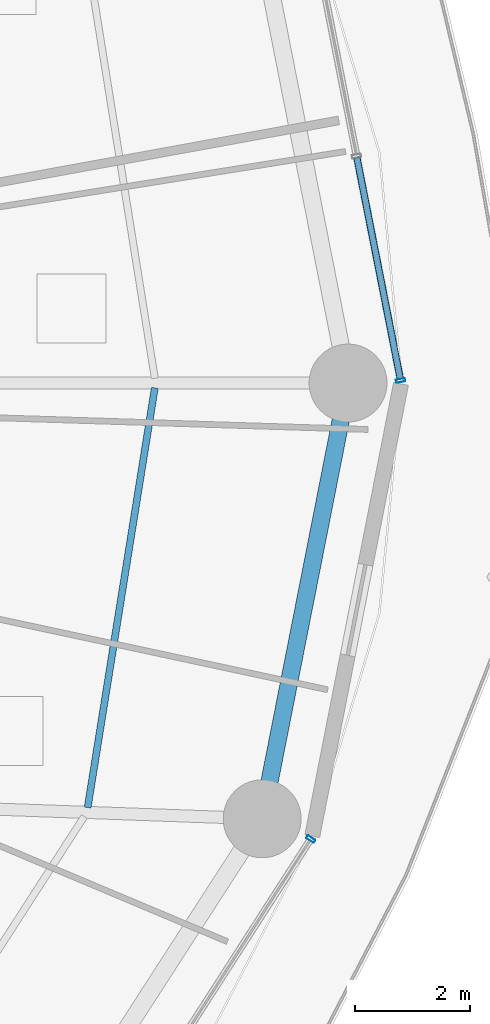
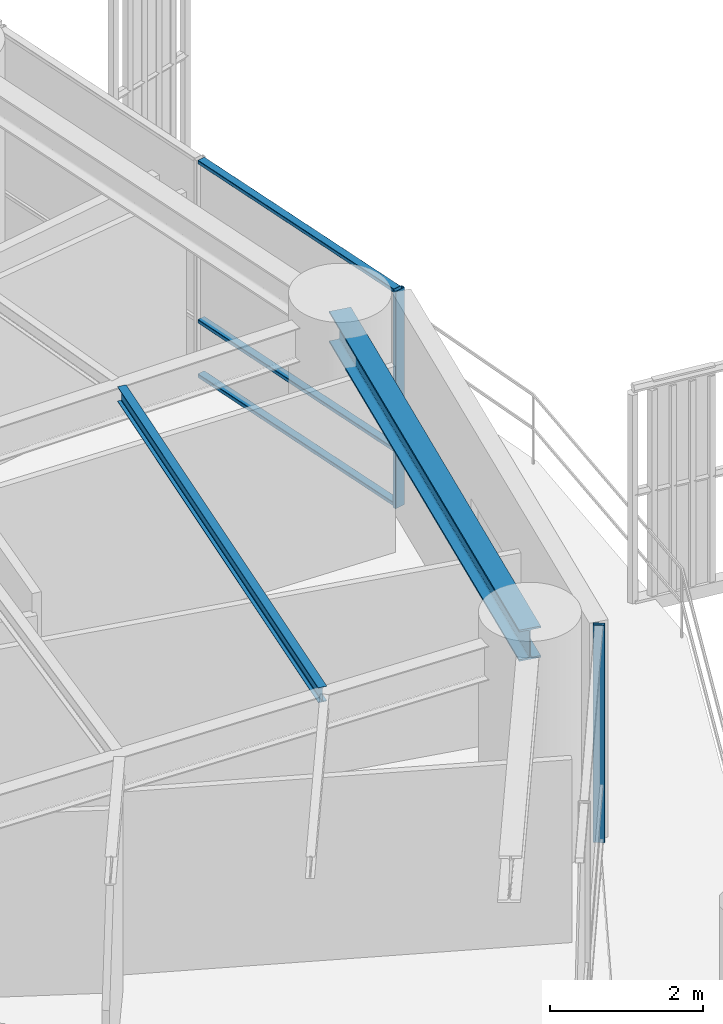
# One storey, part 13 of 33: 5 members, 2 beams, 2 elements without a shape of their own.
"""IFC4 building model written with IfcOpenShell, lengths in metres."""

from ifc_helpers import new_model, si_unit, direction, frame, origin, origin_2d, place, context, subcontext, project, spatial, hollow_rectangle, i_section, extrude, material, layer, layer_set, material_profile, profile_set, type_object, element, aggregate, save


model = new_model("IFC4")

# Units and contexts
model_context = context("Model", 3, precision=1e-05, world=origin(), true_north=direction((0.0, 1.0)))
body_context = subcontext(model_context, "Body", "Model", "MODEL_VIEW")
ifc_project = project(units=[si_unit("LENGTHUNIT", "METRE"), si_unit("AREAUNIT", "SQUARE_METRE"), si_unit("VOLUMEUNIT", "CUBIC_METRE"), si_unit("PLANEANGLEUNIT", "RADIAN"), si_unit("MASSUNIT", "GRAM", prefix="KILO")], contexts=[model_context])

# Site, building, storey
site_placement = place(None, origin())
site = spatial("IfcSite", under=ifc_project, at=site_placement, CompositionType="ELEMENT")
building_placement = place(site_placement, origin())
building = spatial("IfcBuilding", under=site, at=building_placement, Name="Kelanora Arch Commons", CompositionType="ELEMENT")
storey_placement = place(building_placement, frame((0.0, 0.0, 80.10009765625)))
storey = spatial("IfcBuildingStorey", under=building, at=storey_placement, Name="L20", CompositionType="ELEMENT", Elevation=80.10009765625)

# Beams
ifc_material_1 = material(Name="Steel S355", Category="steel")
ifc_material_profile_1 = material_profile(ifc_material_1, i_section(OverallWidth=0.1201171875, OverallDepth=0.239990234375, WebThickness=0.006103515625, FlangeThickness=0.009765625, FilletRadius=0.014892578125, at=origin_2d()), Name="IPE240")
ifc_profile_set_1 = profile_set([ifc_material_profile_1], Name="Steel S355")
beam_type_1 = type_object("IfcBeamType", Name="BM-JST-02", PredefinedType="JOIST", material=ifc_profile_set_1)
beam_1_placement = place(storey_placement, frame((94.166748046875, 50.642578125, 3.369873046875), z_axis=(0.157999549894, 0.987439184068, 0.0), x_axis=(-0.987439184068, 0.157999549894, 0.0)))
element("IfcBeam", 1, at=beam_1_placement, inside=storey, type_object=beam_type_1, Name="Secondary Chord Joist BJC-34 L20", PredefinedType="JOIST", context=body_context, shape_type="SweptSolid", body=[
    extrude(i_section(OverallWidth=0.1201171875, OverallDepth=0.239990234375, WebThickness=0.006103515625, FlangeThickness=0.009765625, FilletRadius=0.014892578125, at=origin_2d()), origin(), (0.0, 0.0, 1.0), 7.365966796875),
])
ifc_material_profile_2 = material_profile(ifc_material_1, i_section(OverallWidth=0.300048828125, OverallDepth=0.5, WebThickness=0.014404296875, FlangeThickness=0.028076171875, FilletRadius=0.027099609375, at=origin_2d()), Name="HEB500")
ifc_profile_set_2 = profile_set([ifc_material_profile_2], Name="Steel S355")
beam_type_2 = type_object("IfcBeamType", Name="BM-SPN-Z2", PredefinedType="SPANDREL", material=ifc_profile_set_2)
beam_2_placement = place(storey_placement, frame((97.191650390625, 50.4482421875, 3.239990234375), z_axis=(0.19335825777, 0.981128220037, 0.0), x_axis=(-0.981128220037, 0.19335825777, 0.0)))
element("IfcBeam", 2, at=beam_2_placement, inside=storey, type_object=beam_type_2, Name="Perimeter Spandrel Beam BS-34 L20", PredefinedType="SPANDREL", context=body_context, shape_type="SweptSolid", body=[
    extrude(i_section(OverallWidth=0.300048828125, OverallDepth=0.5, WebThickness=0.014404296875, FlangeThickness=0.028076171875, FilletRadius=0.027099609375, at=origin_2d()), origin(), (0.0, 0.0, 1.0), 7.697021484375),
])

# Curtain wall, member
ifc_material_2 = material(Name="Terracotta ceramic-fritted low-E glass and aluminium", Category="masonry")
ifc_layer = layer(ifc_material_2, 0.159912109375)
ifc_layer_set = layer_set([ifc_layer], Name="Terracotta ceramic-fritted low-E glass and aluminium")
curtain_wall_type = type_object("IfcCurtainWallType", Name="CW-SYS-01", PredefinedType="NOTDEFINED", material=ifc_layer_set)
curtain_wall_1_placement = place(storey_placement, origin())
curtain_wall_1 = element("IfcCurtainWall", 3, at=curtain_wall_1_placement, inside=storey, type_object=curtain_wall_type, Name="Unitised Curtain Wall L20-B00", PredefinedType="NOTDEFINED")
ifc_material_3 = material(Name="Powder-coated aluminium terracotta", Category="masonry")
ifc_material_profile_3 = material_profile(ifc_material_3, hollow_rectangle(XDim=0.159912109375, YDim=0.06005859375, WallThickness=0.0048828125, InnerFilletRadius=0.0048828125, OuterFilletRadius=0.010009765625, at=origin_2d()), Name="CWM160x60")
ifc_profile_set_3 = profile_set([ifc_material_profile_3], Name="Powder-coated aluminium terracotta")
member_type_1 = type_object("IfcMemberType", Name="CWM-STD", PredefinedType="MULLION", material=ifc_profile_set_3)
member_1_placement = place(storey_placement, frame((99.59130859375, 58.044189453125, 0.0), z_axis=(0.0, 0.0, 1.0), x_axis=(-0.981280311646, -0.192584916272, 0.0)))
member_1 = element("IfcMember", 4, at=member_1_placement, type_object=member_type_1, Name="CW-01 mullion 1", PredefinedType="MULLION", context=body_context, shape_type="SweptSolid", body=[
    extrude(hollow_rectangle(XDim=0.159912109375, YDim=0.06005859375, WallThickness=0.0048828125, InnerFilletRadius=0.0048828125, OuterFilletRadius=0.010009765625, at=origin_2d()), origin(), (0.0, 0.0, 1.0), 3.474853515625),
])

curtain_wall_2_placement = place(storey_placement, origin())
curtain_wall_2 = element("IfcCurtainWall", 5, at=curtain_wall_2_placement, inside=storey, type_object=curtain_wall_type, Name="Unitised Curtain Wall L20-B16", PredefinedType="NOTDEFINED")
member_2_placement = place(storey_placement, frame((98.03173828125, 50.095703125, 0.0), z_axis=(0.0, 0.0, 1.0), x_axis=(-0.841268883088, 0.540616931244, 0.0)))
member_2 = element("IfcMember", 6, at=member_2_placement, type_object=member_type_1, Name="CW-01 mullion 3", PredefinedType="MULLION", context=body_context, shape_type="SweptSolid", body=[
    extrude(hollow_rectangle(XDim=0.159912109375, YDim=0.06005859375, WallThickness=0.0048828125, InnerFilletRadius=0.0048828125, OuterFilletRadius=0.010009765625, at=origin_2d()), origin(), (0.0, 0.0, 1.0), 3.474853515625),
])
aggregate(curtain_wall_2, [member_2])

# Member
ifc_material_profile_4 = material_profile(ifc_material_3, hollow_rectangle(XDim=0.1201171875, YDim=0.06005859375, WallThickness=0.0048828125, InnerFilletRadius=0.0048828125, OuterFilletRadius=0.010009765625, at=origin_2d()), Name="CWT120x60")
ifc_profile_set_4 = profile_set([ifc_material_profile_4], Name="Powder-coated aluminium terracotta")
member_type_2 = type_object("IfcMemberType", Name="CWT-STD", PredefinedType="USERDEFINED", material=ifc_profile_set_4)
member_3_placement = place(storey_placement, frame((99.58544921875, 58.073486328125, 0.02978515625), z_axis=(-0.192578614785, 0.981281548348, 0.0), x_axis=(-0.981281548348, -0.192578614785, 0.0)))
member_3 = element("IfcMember", 7, at=member_3_placement, type_object=member_type_2, Name="CW-01 transom 1.1", ObjectType="TRANSOM", PredefinedType="USERDEFINED", context=body_context, shape_type="SweptSolid", body=[
    extrude(hollow_rectangle(XDim=0.1201171875, YDim=0.06005859375, WallThickness=0.0048828125, InnerFilletRadius=0.0048828125, OuterFilletRadius=0.010009765625, at=origin_2d()), origin(), (0.0, 0.0, 1.0), 3.9033203125),
])

member_4_placement = place(storey_placement, frame((99.58544921875, 58.073486328125, 0.89990234375), z_axis=(-0.192578614785, 0.981281548348, 0.0), x_axis=(-0.981281548348, -0.192578614785, 0.0)))
member_4 = element("IfcMember", 8, at=member_4_placement, type_object=member_type_2, Name="CW-01 transom 1.2", ObjectType="TRANSOM", PredefinedType="USERDEFINED", context=body_context, shape_type="SweptSolid", body=[
    extrude(hollow_rectangle(XDim=0.1201171875, YDim=0.06005859375, WallThickness=0.0048828125, InnerFilletRadius=0.0048828125, OuterFilletRadius=0.010009765625, at=origin_2d()), origin(), (0.0, 0.0, 1.0), 3.9033203125),
])

member_5_placement = place(storey_placement, frame((99.58544921875, 58.073486328125, 3.44482421875), z_axis=(-0.192578614785, 0.981281548348, 0.0), x_axis=(-0.981281548348, -0.192578614785, 0.0)))
member_5 = element("IfcMember", 9, at=member_5_placement, type_object=member_type_2, Name="CW-01 transom 1.3", ObjectType="TRANSOM", PredefinedType="USERDEFINED", context=body_context, shape_type="SweptSolid", body=[
    extrude(hollow_rectangle(XDim=0.1201171875, YDim=0.06005859375, WallThickness=0.0048828125, InnerFilletRadius=0.0048828125, OuterFilletRadius=0.010009765625, at=origin_2d()), origin(), (0.0, 0.0, 1.0), 3.9033203125),
])

aggregate(curtain_wall_1, [member_1, member_3, member_4, member_5])

save(model, "model.ifc")
